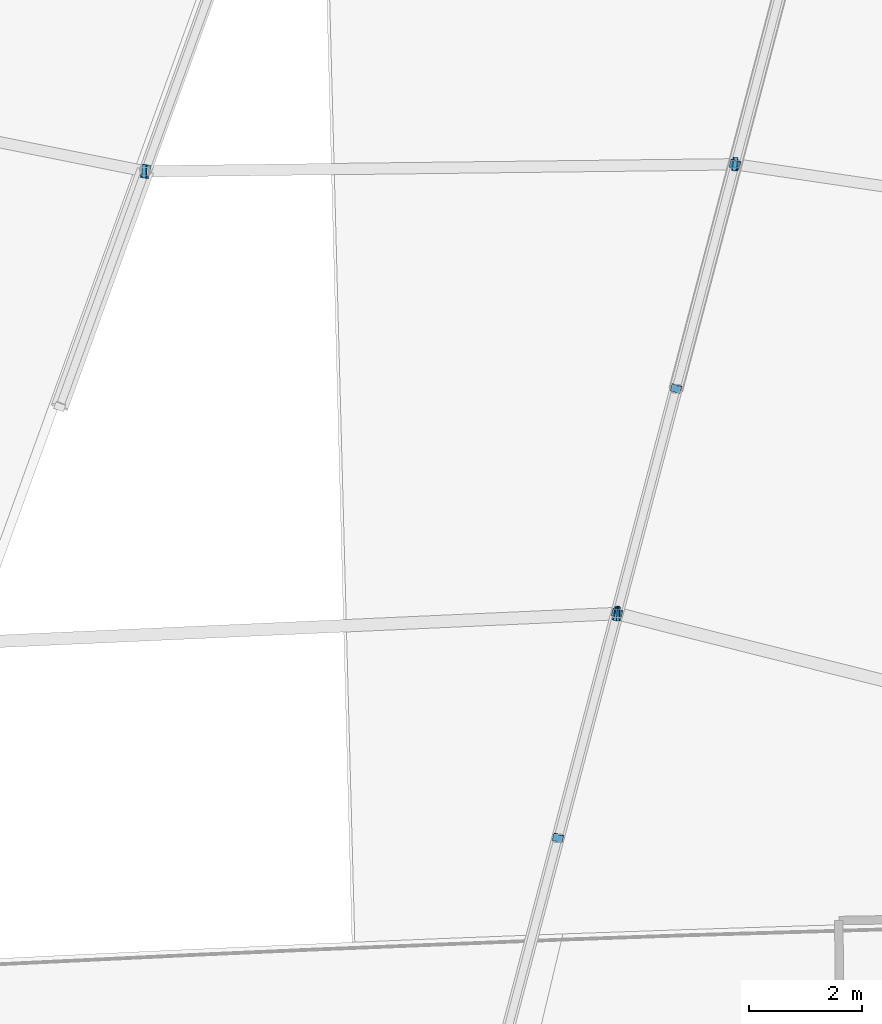
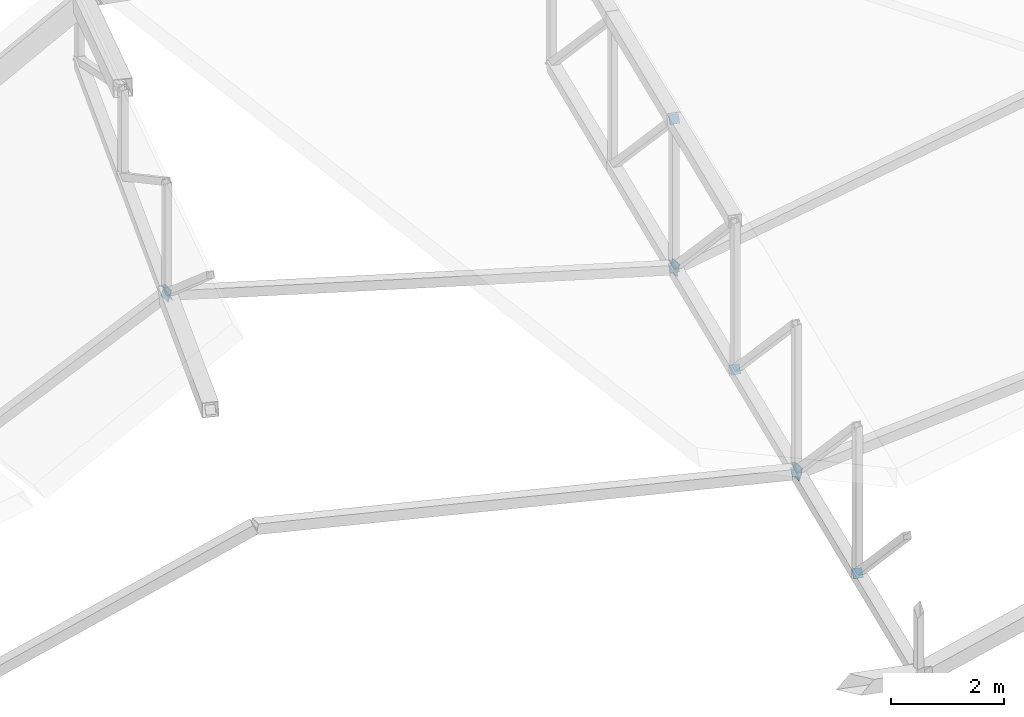
# One storey, part 284 of 344: 11 discrete accessories.
"""IFC4 building model written with IfcOpenShell, lengths in metres."""

from ifc_helpers import new_model, si_unit, direction, frame, origin, origin_2d, place, context, subcontext, project, spatial, rectangle, extrude, material, material_profile, profile_set, type_object, element, save


model = new_model("IFC4")

# Units and contexts
model_context = context("Model", 3, precision=1e-05, world=origin(), true_north=direction((0.0, 1.0)))
body_context = subcontext(model_context, "Body", "Model", "MODEL_VIEW")
ifc_project = project(units=[si_unit("LENGTHUNIT", "METRE"), si_unit("AREAUNIT", "SQUARE_METRE"), si_unit("VOLUMEUNIT", "CUBIC_METRE"), si_unit("PLANEANGLEUNIT", "RADIAN"), si_unit("MASSUNIT", "GRAM", prefix="KILO")], contexts=[model_context])

# Site, building, storey
site_placement = place(None, origin())
site = spatial("IfcSite", under=ifc_project, at=site_placement, CompositionType="ELEMENT")
building_placement = place(site_placement, origin())
building = spatial("IfcBuilding", under=site, at=building_placement, Name="Meseta Stadium", CompositionType="ELEMENT")
storey_placement = place(building_placement, frame((0.0, 0.0, 24.0)))
storey = spatial("IfcBuildingStorey", under=building, at=storey_placement, Name="L04", CompositionType="ELEMENT", Elevation=24.0)

# Discrete accessories
ifc_material_1 = material(Name="Steel S355", Category="steel")
ifc_material_profile_1 = material_profile(ifc_material_1, rectangle(XDim=0.179931640625, YDim=0.179931640625, at=origin_2d()), Name="PL 180x180")
ifc_profile_set_1 = profile_set([ifc_material_profile_1], Name="Steel S355")
discrete_accessory_type_1 = type_object("IfcDiscreteAccessoryType", Name="End plate 180x180x20", PredefinedType="ANCHORPLATE", material=ifc_profile_set_1)
discrete_accessory_1_placement = place(storey_placement, frame((-16.476318359375, -73.776611328125, 6.15283203125), z_axis=(-0.182831685835, -0.719137964286, 0.670382848063), x_axis=(0.969168531094, -0.246398779092, 0.0)))
element("IfcDiscreteAccessory", 1, at=discrete_accessory_1_placement, inside=storey, type_object=discrete_accessory_type_1, Name="End plate of ROOF TRUSS RT-45 diagonal", PredefinedType="ANCHORPLATE", context=body_context, shape_type="SweptSolid", body=[
    extrude(rectangle(XDim=0.179931640625, YDim=0.179931640625, at=origin_2d()), origin(), (0.0, 0.0, 1.0), 0.02001953125),
])
for number, where, z_axis, x_axis, name in (
    (2, (-16.47265625, -73.762451171875, 2.939208984375), (-0.184441720091, -0.713174651018, 0.676286307), (0.968146911612, -0.250382821969, 0.0), "End plate of ROOF TRUSS RT-45 diagonal"),
    (3, (-17.515869140625, -77.732421875, 3.512939453125), (-0.184441720091, -0.713174651018, 0.676286307), (0.968146911612, -0.250382821969, 0.0), "End plate of ROOF TRUSS RT-45 diagonal"),
):
    element("IfcDiscreteAccessory", number, at=place(storey_placement, frame(where, z_axis=z_axis, x_axis=x_axis)), inside=storey, type_object=discrete_accessory_type_1, Name=name, PredefinedType="ANCHORPLATE", context=body_context, shape_type="SweptSolid", body=[
        extrude(rectangle(XDim=0.179931640625, YDim=0.179931640625, at=origin_2d()), origin(), (0.0, 0.0, 1.0), 0.019775390625),
    ])
discrete_accessory_2_placement = place(storey_placement, frame((-18.559326171875, -81.7021484375, 4.086669921875), z_axis=(-0.181342552396, -0.713280706092, 0.677012195612), x_axis=(0.969168531094, -0.246398779092, 0.0)))
element("IfcDiscreteAccessory", 4, at=discrete_accessory_2_placement, inside=storey, type_object=discrete_accessory_type_1, Name="End plate of ROOF TRUSS RT-45 diagonal", PredefinedType="ANCHORPLATE", context=body_context, shape_type="SweptSolid", body=[
    extrude(rectangle(XDim=0.179931640625, YDim=0.179931640625, at=origin_2d()), origin(), (0.0, 0.0, 1.0), 0.020263671875),
])
discrete_accessory_3_placement = place(storey_placement, frame((-19.6025390625, -85.672119140625, 4.660400390625), z_axis=(-0.182913228255, -0.707264482586, 0.682876052152), x_axis=(0.968146911612, -0.250382821969, 0.0)))
element("IfcDiscreteAccessory", 5, at=discrete_accessory_3_placement, inside=storey, type_object=discrete_accessory_type_1, Name="End plate of ROOF TRUSS RT-45 diagonal", PredefinedType="ANCHORPLATE", context=body_context, shape_type="SweptSolid", body=[
    extrude(rectangle(XDim=0.179931640625, YDim=0.179931640625, at=origin_2d()), origin(), (0.0, 0.0, 1.0), 0.02001953125),
])
ifc_material_2 = material(Name="Steel S355", Category="steel")
ifc_material_profile_2 = material_profile(ifc_material_2, rectangle(XDim=0.239990234375, YDim=0.239990234375, at=origin_2d()), Name="PL 240x240")
ifc_profile_set_2 = profile_set([ifc_material_profile_2], Name="Steel S355")
discrete_accessory_type_2 = type_object("IfcDiscreteAccessoryType", Name="End plate 240x240x20", PredefinedType="ANCHORPLATE", material=ifc_profile_set_2)
discrete_accessory_4_placement = place(storey_placement, frame((-26.901123046875, -73.901611328125, 6.12548828125), z_axis=(0.823404068903, -0.172054581562, 0.540742970623), x_axis=(0.20453763878, 0.978858699876, 0.0)))
element("IfcDiscreteAccessory", 6, at=discrete_accessory_4_placement, inside=storey, type_object=discrete_accessory_type_2, Name="End plate of ROOF TRUSS STRUT RT-43/44", PredefinedType="ANCHORPLATE", context=body_context, shape_type="SweptSolid", body=[
    extrude(rectangle(XDim=0.239990234375, YDim=0.239990234375, at=origin_2d()), origin(), (0.0, 0.0, 1.0), 0.019775390625),
])
discrete_accessory_5_placement = place(storey_placement, frame((-26.92041015625, -73.90185546875, 6.13134765625), z_axis=(0.95675026865, 0.012110762894, -0.290658309463), x_axis=(-0.012657213851, 0.99991989426, 0.0)))
element("IfcDiscreteAccessory", 7, at=discrete_accessory_5_placement, inside=storey, type_object=discrete_accessory_type_2, Name="End plate of ROOF TRUSS STRUT RT-44/45", PredefinedType="ANCHORPLATE", context=body_context, shape_type="SweptSolid", body=[
    extrude(rectangle(XDim=0.239990234375, YDim=0.239990234375, at=origin_2d()), origin(), (0.0, 0.0, 1.0), 0.020263671875),
])
discrete_accessory_6_placement = place(storey_placement, frame((-16.476318359375, -73.776611328125, 2.95263671875), z_axis=(0.959096944472, 0.012296114673, -0.282810637473), x_axis=(-0.012819459325, 0.999917827355, 0.0)))
element("IfcDiscreteAccessory", 8, at=discrete_accessory_6_placement, inside=storey, type_object=discrete_accessory_type_2, Name="End plate of ROOF TRUSS STRUT RT-44/45", PredefinedType="ANCHORPLATE", context=body_context, shape_type="SweptSolid", body=[
    extrude(rectangle(XDim=0.239990234375, YDim=0.239990234375, at=origin_2d()), origin(), (0.0, 0.0, 1.0), 0.019775390625),
])
discrete_accessory_7_placement = place(storey_placement, frame((-16.495361328125, -73.77392578125, 2.947265625), z_axis=(0.953704879645, -0.134496842001, 0.268993684002), x_axis=(0.139643843047, 0.99020179615, 0.0)))
element("IfcDiscreteAccessory", 9, at=discrete_accessory_7_placement, inside=storey, type_object=discrete_accessory_type_2, Name="End plate of ROOF TRUSS STRUT RT-45/46", PredefinedType="ANCHORPLATE", context=body_context, shape_type="SweptSolid", body=[
    extrude(rectangle(XDim=0.239990234375, YDim=0.239990234375, at=origin_2d()), origin(), (0.0, 0.0, 1.0), 0.02001953125),
])
ifc_material_3 = material(Name="Steel S355", Category="steel")
ifc_material_profile_3 = material_profile(ifc_material_3, rectangle(XDim=0.260009765625, YDim=0.260009765625, at=origin_2d()), Name="PL 260x260")
ifc_profile_set_3 = profile_set([ifc_material_profile_3], Name="Steel S355")
discrete_accessory_type_3 = type_object("IfcDiscreteAccessoryType", Name="End plate 260x260x20", PredefinedType="ANCHORPLATE", material=ifc_profile_set_3)
for number, where, z_axis, x_axis, name in (
    (10, (-18.56298828125, -81.716552734375, 4.100341796875), (0.962199058735, 0.048718939683, -0.267954168255), (-0.050568132333, 0.998720613581, 0.0), "End plate of ROOF TRUSS STRUT RT-44/45"),
    (11, (-18.58154296875, -81.711669921875, 4.094970703125), (0.931271854652, -0.245071540698, 0.269578694768), (0.25449329928, 0.967074537263, 0.0), "End plate of ROOF TRUSS STRUT RT-45/46"),
):
    element("IfcDiscreteAccessory", number, at=place(storey_placement, frame(where, z_axis=z_axis, x_axis=x_axis)), inside=storey, type_object=discrete_accessory_type_3, Name=name, PredefinedType="ANCHORPLATE", context=body_context, shape_type="SweptSolid", body=[
        extrude(rectangle(XDim=0.260009765625, YDim=0.260009765625, at=origin_2d()), origin(), (0.0, 0.0, 1.0), 0.02001953125),
    ])

save(model, "model.ifc")
